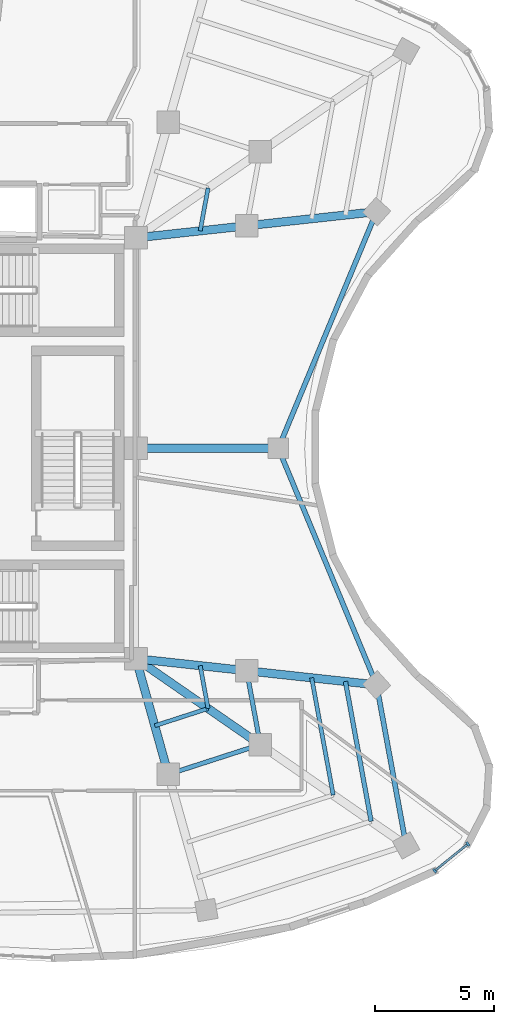
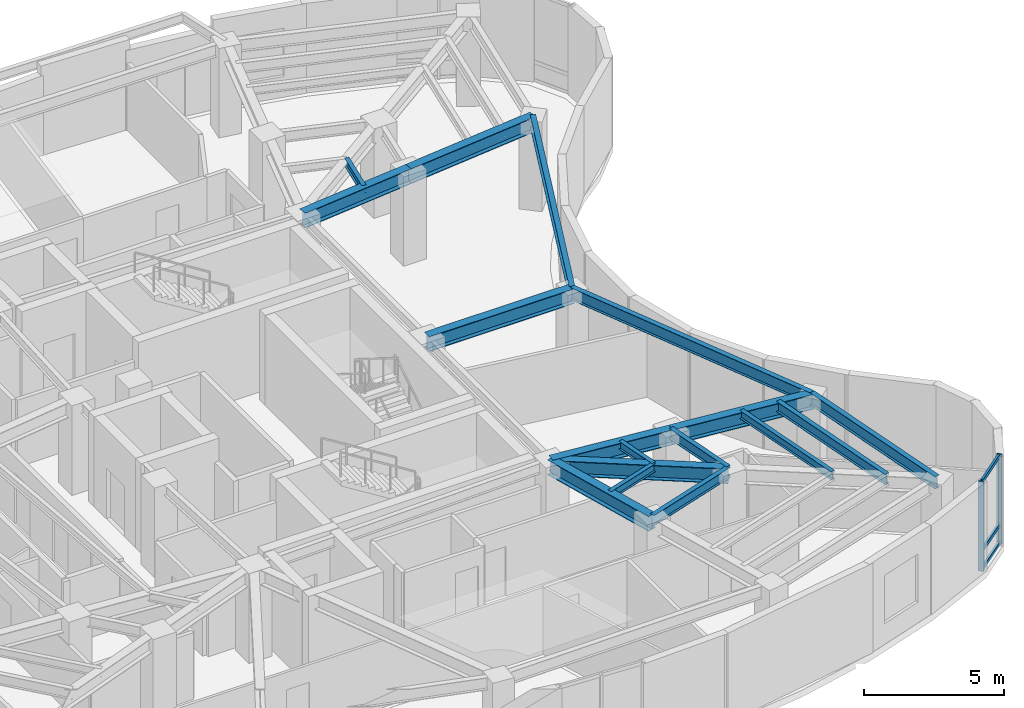
# One storey, part 4 of 14: 17 beams, 5 members, 1 element without a shape of its own.
"""IFC4 building model written with IfcOpenShell, lengths in metres."""

from ifc_helpers import new_model, si_unit, direction, frame, origin, origin_2d, place, context, subcontext, project, spatial, rectangle, i_section, extrude, material, layer, layer_set, material_profile, profile_set, type_object, element, aggregate, save


model = new_model("IFC4")

# Units and contexts
model_context = context("Model", 3, precision=1e-05, world=origin(), true_north=direction((0.0, 1.0)))
body_context = subcontext(model_context, "Body", "Model", "MODEL_VIEW")
ifc_project = project(units=[si_unit("LENGTHUNIT", "METRE"), si_unit("AREAUNIT", "SQUARE_METRE"), si_unit("VOLUMEUNIT", "CUBIC_METRE"), si_unit("PLANEANGLEUNIT", "RADIAN"), si_unit("MASSUNIT", "GRAM", prefix="KILO")], contexts=[model_context])

# Site, building, storey
site_placement = place(None, origin())
site = spatial("IfcSite", under=ifc_project, at=site_placement, CompositionType="ELEMENT")
building_placement = place(site_placement, origin())
building = spatial("IfcBuilding", under=site, at=building_placement, Name="Korentha Bioscience Tower", CompositionType="ELEMENT")
storey_placement = place(building_placement, frame((0.0, 0.0, 247.800048828125)))
storey = spatial("IfcBuildingStorey", under=building, at=storey_placement, Name="L57", CompositionType="ELEMENT", Elevation=247.800048828125)

# Beams
ifc_material_1 = material(Name="Steel S355", Category="steel")
ifc_material_profile_1 = material_profile(ifc_material_1, i_section(OverallWidth=0.18994140625, OverallDepth=0.45703125, WebThickness=0.009033203125, FlangeThickness=0.014404296875, at=origin_2d()), Name="Steel S355")
ifc_profile_set_1 = profile_set([ifc_material_profile_1], Name="Steel S355 (MB-460)")
beam_type_1 = type_object("IfcBeamType", Name="Mid-Ring Tie Girder W460x74", PredefinedType="BEAM", material=ifc_profile_set_1)
beam_1_placement = place(storey_placement, frame((38.9111328125, 13.285888671875, 3.67138671875), z_axis=(0.951528341902, 0.307561074514, 0.0), x_axis=(-0.307561074514, 0.951528341902, 0.0)))
element("IfcBeam", 1, at=beam_1_placement, inside=storey, type_object=beam_type_1, Name="L57 Mid-Ring Tie Girder 12", PredefinedType="BEAM", context=body_context, shape_type="SweptSolid", body=[
    extrude(i_section(OverallWidth=0.18994140625, OverallDepth=0.45703125, WebThickness=0.009033203125, FlangeThickness=0.014404296875, at=origin_2d()), origin(), (0.0, 0.0, 1.0), 4.062744140625),
])
beam_2_placement = place(storey_placement, frame((42.77685546875, 14.535400390625, 3.67138671875), z_axis=(-0.180965758034, 0.983489397207, 0.0), x_axis=(-0.983489397207, -0.180965758034, 0.0)))
element("IfcBeam", 2, at=beam_2_placement, inside=storey, type_object=beam_type_1, Name="L57 Mid-Ring Tie Girder 13", PredefinedType="BEAM", context=body_context, shape_type="SweptSolid", body=[
    extrude(i_section(OverallWidth=0.18994140625, OverallDepth=0.45703125, WebThickness=0.009033203125, FlangeThickness=0.014404296875, at=origin_2d()), origin(), (0.0, 0.0, 1.0), 3.15966796875),
])

# Curtain wall, members
ifc_material_2 = material(Name="Thermally Broken Aluminium Frame", Category="aluminium")
ifc_layer = layer(ifc_material_2, 0.219970703125, Name="Thermally Broken Aluminium Frame")
ifc_layer_set = layer_set([ifc_layer], Name="Thermally Broken Aluminium Frame (CW-T1)")
curtain_wall_type = type_object("IfcCurtainWallType", Name="Standard Bioscience Lab Unitised Curtain Wall CW-T1", PredefinedType="USERDEFINED", material=ifc_layer_set)
curtain_wall_placement = place(storey_placement, origin())
curtain_wall = element("IfcCurtainWall", 3, at=curtain_wall_placement, inside=storey, type_object=curtain_wall_type, Name="L57 Curtain Wall 37", ObjectType="UNITISED", PredefinedType="USERDEFINED")
ifc_material_3 = material(Name="Anodised Aluminium 6063-T6", Category="aluminium")
ifc_material_profile_2 = material_profile(ifc_material_3, rectangle(XDim=0.090087890625, YDim=0.199951171875, at=origin_2d()), Name="Anodised Aluminium 6063-T6")
ifc_profile_set_2 = profile_set([ifc_material_profile_2], Name="Anodised Aluminium 6063-T6 (CW-MUL)")
member_type_1 = type_object("IfcMemberType", Name="Mullion RECT 90x200", PredefinedType="MULLION", material=ifc_profile_set_2)
member_1_placement = place(storey_placement, frame((50.1123046875, 9.225341796875, 0.0), z_axis=(0.0, 0.0, 1.0), x_axis=(0.777226359638, 0.629221094596, 0.0)))
member_1 = element("IfcMember", 4, at=member_1_placement, type_object=member_type_1, Name="CW-L57-37 Mullion 1", PredefinedType="MULLION", context=body_context, shape_type="SweptSolid", body=[
    extrude(rectangle(XDim=0.090087890625, YDim=0.199951171875, at=origin_2d()), origin(), (0.0, 0.0, 1.0), 3.89990234375),
])
member_2_placement = place(storey_placement, frame((51.509033203125, 10.356201171875, 0.0), z_axis=(0.0, 0.0, 1.0), x_axis=(0.777226359638, 0.629221094596, 0.0)))
member_2 = element("IfcMember", 5, at=member_2_placement, type_object=member_type_1, Name="CW-L57-37 Mullion 2", PredefinedType="MULLION", context=body_context, shape_type="SweptSolid", body=[
    extrude(rectangle(XDim=0.090087890625, YDim=0.199951171875, at=origin_2d()), origin(), (0.0, 0.0, 1.0), 3.89990234375),
])

# Beams
ifc_material_profile_3 = material_profile(ifc_material_1, i_section(OverallWidth=0.208984375, OverallDepth=0.532958984375, WebThickness=0.01025390625, FlangeThickness=0.015625, at=origin_2d()), Name="Steel S355")
ifc_profile_set_3 = profile_set([ifc_material_profile_3], Name="Steel S355 (SB-530)")
beam_type_2 = type_object("IfcBeamType", Name="Perimeter Ring Spandrel Girder W530x92", PredefinedType="SPANDREL", material=ifc_profile_set_3)
beam_3_placement = place(storey_placement, frame((48.912841796875, 10.292236328125, 3.633544921875), z_axis=(-0.180958869982, 0.98349066461, 0.0), x_axis=(-0.98349066461, -0.180958869982, 0.0)))
element("IfcBeam", 6, at=beam_3_placement, inside=storey, type_object=beam_type_2, Name="L57 Perimeter Spandrel Girder 13", PredefinedType="SPANDREL", context=body_context, shape_type="SweptSolid", body=[
    extrude(i_section(OverallWidth=0.208984375, OverallDepth=0.532958984375, WebThickness=0.01025390625, FlangeThickness=0.015625, at=origin_2d()), origin(), (0.0, 0.0, 1.0), 6.868408203125),
])
for number, where, z_axis, x_axis, name in (
    (7, (47.669921875, 17.04736328125, 3.633544921875), (-0.383518045315, 0.923533382676, 0.0), (-0.923533382676, -0.383518045315, 0.0), "L57 Perimeter Spandrel Girder 14"),
    (8, (43.536865234375, 27.0, 3.633544921875), (0.383518045315, 0.923533382676, 0.0), (-0.923533382676, 0.383518045315, 0.0), "L57 Perimeter Spandrel Girder 15"),
):
    element("IfcBeam", number, at=place(storey_placement, frame(where, z_axis=z_axis, x_axis=x_axis)), inside=storey, type_object=beam_type_2, Name=name, PredefinedType="SPANDREL", context=body_context, shape_type="SweptSolid", body=[
        extrude(i_section(OverallWidth=0.208984375, OverallDepth=0.532958984375, WebThickness=0.01025390625, FlangeThickness=0.015625, at=origin_2d()), origin(), (0.0, 0.0, 1.0), 10.776611328125),
    ])
ifc_material_profile_4 = material_profile(ifc_material_1, i_section(OverallWidth=0.18994140625, OverallDepth=0.45703125, WebThickness=0.009033203125, FlangeThickness=0.014404296875, at=origin_2d()), Name="Steel S355")
ifc_profile_set_4 = profile_set([ifc_material_profile_4], Name="Steel S355 (RB-460)")
beam_type_3 = type_object("IfcBeamType", Name="Radial Laboratory Beam W460x74", PredefinedType="BEAM", material=ifc_profile_set_4)
beam_4_placement = place(storey_placement, frame((47.440185546875, 11.310791015625, 3.67138671875), z_axis=(-0.18095869438, 0.98349069692, 0.0), x_axis=(-0.98349069692, -0.18095869438, 0.0)))
element("IfcBeam", 9, at=beam_4_placement, inside=storey, type_object=beam_type_3, Name="L57 Secondary Floor Beam JSTO-13", PredefinedType="BEAM", context=body_context, shape_type="SweptSolid", body=[
    extrude(i_section(OverallWidth=0.18994140625, OverallDepth=0.45703125, WebThickness=0.009033203125, FlangeThickness=0.014404296875, at=origin_2d()), origin(), (0.0, 0.0, 1.0), 5.97802734375),
])
ifc_material_profile_5 = material_profile(ifc_material_1, i_section(OverallWidth=0.35009765625, OverallDepth=0.64990234375, WebThickness=0.01611328125, FlangeThickness=0.02490234375, at=origin_2d()), Name="Steel S355")
ifc_profile_set_5 = profile_set([ifc_material_profile_5], Name="Steel S355 (RB-650)")
beam_type_4 = type_object("IfcBeamType", Name="Radial Laboratory Girder CVS 650x208", PredefinedType="BEAM", material=ifc_profile_set_5)
beam_5_placement = place(storey_placement, frame((37.550048828125, 18.14990234375, 3.574951171875), z_axis=(0.269475733077, -0.963007180286, 0.0), x_axis=(0.963007180286, 0.269475733077, 0.0)))
element("IfcBeam", 10, at=beam_5_placement, inside=storey, type_object=beam_type_4, Name="L57 Inner Radial Girder 12", PredefinedType="BEAM", context=body_context, shape_type="SweptSolid", body=[
    extrude(i_section(OverallWidth=0.35009765625, OverallDepth=0.64990234375, WebThickness=0.01611328125, FlangeThickness=0.02490234375, at=origin_2d()), origin(), (0.0, 0.0, 1.0), 5.05078125),
])
beam_6_placement = place(storey_placement, frame((37.550048828125, 18.14990234375, 3.574951171875), z_axis=(0.822490816724, -0.568778389537, 0.0), x_axis=(0.568778389537, 0.822490816724, 0.0)))
element("IfcBeam", 11, at=beam_6_placement, inside=storey, type_object=beam_type_4, Name="L57 Inner Radial Girder 13", PredefinedType="BEAM", context=body_context, shape_type="SweptSolid", body=[
    extrude(i_section(OverallWidth=0.35009765625, OverallDepth=0.64990234375, WebThickness=0.01611328125, FlangeThickness=0.02490234375, at=origin_2d()), origin(), (0.0, 0.0, 1.0), 6.354736328125),
])
beam_7_placement = place(storey_placement, frame((37.550048828125, 18.14990234375, 3.574951171875), z_axis=(0.994119231427, -0.108291060139, 0.0), x_axis=(0.108291060139, 0.994119231427, 0.0)))
element("IfcBeam", 12, at=beam_7_placement, inside=storey, type_object=beam_type_4, Name="L57 Inner Radial Girder 14", PredefinedType="BEAM", context=body_context, shape_type="SweptSolid", body=[
    extrude(i_section(OverallWidth=0.35009765625, OverallDepth=0.64990234375, WebThickness=0.01611328125, FlangeThickness=0.02490234375, at=origin_2d()), origin(), (0.0, 0.0, 1.0), 4.6826171875),
])
beam_8_placement = place(storey_placement, frame((42.205078125, 17.642822265625, 3.574951171875), z_axis=(0.994116010051, -0.108320628508, 0.0), x_axis=(0.108320628508, 0.994116010051, 0.0)))
element("IfcBeam", 13, at=beam_8_placement, inside=storey, type_object=beam_type_4, Name="L57 Outer Radial Girder 14", PredefinedType="BEAM", context=body_context, shape_type="SweptSolid", body=[
    extrude(i_section(OverallWidth=0.35009765625, OverallDepth=0.64990234375, WebThickness=0.01611328125, FlangeThickness=0.02490234375, at=origin_2d()), origin(), (0.0, 0.0, 1.0), 5.4970703125),
])
beam_9_placement = place(storey_placement, frame((37.550048828125, 27.0, 3.574951171875), z_axis=(1.0, 0.0, 0.0), x_axis=(0.0, 1.0, 0.0)))
element("IfcBeam", 14, at=beam_9_placement, inside=storey, type_object=beam_type_4, Name="L57 Radial Girder 15", PredefinedType="BEAM", context=body_context, shape_type="SweptSolid", body=[
    extrude(i_section(OverallWidth=0.35009765625, OverallDepth=0.64990234375, WebThickness=0.01611328125, FlangeThickness=0.02490234375, at=origin_2d()), origin(), (0.0, 0.0, 1.0), 5.98681640625),
])
beam_10_placement = place(storey_placement, frame((37.550048828125, 35.85009765625, 3.574951171875), z_axis=(0.994119231427, 0.108291060139, 0.0), x_axis=(-0.108291060139, 0.994119231427, 0.0)))
element("IfcBeam", 15, at=beam_10_placement, inside=storey, type_object=beam_type_4, Name="L57 Inner Radial Girder 16", PredefinedType="BEAM", context=body_context, shape_type="SweptSolid", body=[
    extrude(i_section(OverallWidth=0.35009765625, OverallDepth=0.64990234375, WebThickness=0.01611328125, FlangeThickness=0.02490234375, at=origin_2d()), origin(), (0.0, 0.0, 1.0), 4.6826171875),
])
beam_11_placement = place(storey_placement, frame((42.205078125, 36.357177734375, 3.574951171875), z_axis=(0.994116010051, 0.108320628508, 0.0), x_axis=(-0.108320628508, 0.994116010051, 0.0)))
element("IfcBeam", 16, at=beam_11_placement, inside=storey, type_object=beam_type_4, Name="L57 Outer Radial Girder 16", PredefinedType="BEAM", context=body_context, shape_type="SweptSolid", body=[
    extrude(i_section(OverallWidth=0.35009765625, OverallDepth=0.64990234375, WebThickness=0.01611328125, FlangeThickness=0.02490234375, at=origin_2d()), origin(), (0.0, 0.0, 1.0), 5.4970703125),
])
ifc_material_profile_6 = material_profile(ifc_material_1, i_section(OverallWidth=0.1708984375, OverallDepth=0.35498046875, WebThickness=0.007080078125, FlangeThickness=0.01171875, at=origin_2d()), Name="Steel S355")
ifc_profile_set_6 = profile_set([ifc_material_profile_6], Name="Steel S355 (JB-360)")
beam_type_5 = type_object("IfcBeamType", Name="Secondary Laboratory Joist W360x51", PredefinedType="JOIST", material=ifc_profile_set_6)
beam_12_placement = place(storey_placement, frame((38.33935546875, 15.328857421875, 3.722412109375), z_axis=(0.951514105526, 0.307605115343, 0.0), x_axis=(-0.307605115343, 0.951514105526, 0.0)))
element("IfcBeam", 17, at=beam_12_placement, inside=storey, type_object=beam_type_5, Name="L57 Inner Bay Joist 12", PredefinedType="JOIST", context=body_context, shape_type="SweptSolid", body=[
    extrude(i_section(OverallWidth=0.1708984375, OverallDepth=0.35498046875, WebThickness=0.007080078125, FlangeThickness=0.01171875, at=origin_2d()), origin(), (0.0, 0.0, 1.0), 2.3564453125),
])
beam_13_placement = place(storey_placement, frame((45.844970703125, 12.413818359375, 3.722412109375), z_axis=(-0.180980255152, 0.983486729572, 0.0), x_axis=(-0.983486729572, -0.180980255152, 0.0)))
element("IfcBeam", 18, at=beam_13_placement, inside=storey, type_object=beam_type_5, Name="L57 Secondary Floor Beam JST-13", PredefinedType="JOIST", context=body_context, shape_type="SweptSolid", body=[
    extrude(i_section(OverallWidth=0.1708984375, OverallDepth=0.35498046875, WebThickness=0.007080078125, FlangeThickness=0.01171875, at=origin_2d()), origin(), (0.0, 0.0, 1.0), 5.01416015625),
])
for number, where, z_axis, x_axis, name in (
    (19, (40.58154296875, 16.0537109375, 3.722412109375), (-0.180948766691, 0.983492523527, 0.0), (-0.983492523527, -0.180948766691, 0.0), "L57 Inner Bay Joist 13"),
    (20, (40.25, 36.144287109375, 3.722412109375), (0.180948766691, 0.983492523527, 0.0), (-0.983492523527, 0.180948766691, 0.0), "L57 Inner Bay Joist 16"),
):
    element("IfcBeam", number, at=place(storey_placement, frame(where, z_axis=z_axis, x_axis=x_axis)), inside=storey, type_object=beam_type_5, Name=name, PredefinedType="JOIST", context=body_context, shape_type="SweptSolid", body=[
        extrude(i_section(OverallWidth=0.1708984375, OverallDepth=0.35498046875, WebThickness=0.007080078125, FlangeThickness=0.01171875, at=origin_2d()), origin(), (0.0, 0.0, 1.0), 1.832275390625),
    ])

# Member
ifc_material_profile_7 = material_profile(ifc_material_3, rectangle(XDim=0.090087890625, YDim=0.159912109375, at=origin_2d()), Name="Anodised Aluminium 6063-T6")
ifc_profile_set_7 = profile_set([ifc_material_profile_7], Name="Anodised Aluminium 6063-T6 (CW-TRN)")
member_type_2 = type_object("IfcMemberType", Name="Transom RECT 90x160", PredefinedType="USERDEFINED", material=ifc_profile_set_7)
member_3_placement = place(storey_placement, frame((50.1474609375, 9.253662109375, 0.044921875), z_axis=(0.777171592091, 0.629288738535, 0.0), x_axis=(-0.629288738535, 0.777171592091, 0.0)))
member_3 = element("IfcMember", 21, at=member_3_placement, type_object=member_type_2, Name="CW-L57-37 Bay 1 Transom 1", ObjectType="TRANSOM", PredefinedType="USERDEFINED", context=body_context, shape_type="SweptSolid", body=[
    extrude(rectangle(XDim=0.090087890625, YDim=0.159912109375, at=origin_2d()), origin(), (0.0, 0.0, 1.0), 1.70703125),
])

member_4_placement = place(storey_placement, frame((50.1474609375, 9.253662109375, 0.849853515625), z_axis=(0.777171592091, 0.629288738535, 0.0), x_axis=(-0.629288738535, 0.777171592091, 0.0)))
member_4 = element("IfcMember", 22, at=member_4_placement, type_object=member_type_2, Name="CW-L57-37 Bay 1 Transom 2", ObjectType="TRANSOM", PredefinedType="USERDEFINED", context=body_context, shape_type="SweptSolid", body=[
    extrude(rectangle(XDim=0.090087890625, YDim=0.159912109375, at=origin_2d()), origin(), (0.0, 0.0, 1.0), 1.70703125),
])

member_5_placement = place(storey_placement, frame((50.1474609375, 9.253662109375, 3.85498046875), z_axis=(0.777171592091, 0.629288738535, 0.0), x_axis=(-0.629288738535, 0.777171592091, 0.0)))
member_5 = element("IfcMember", 23, at=member_5_placement, type_object=member_type_2, Name="CW-L57-37 Bay 1 Transom 3", ObjectType="TRANSOM", PredefinedType="USERDEFINED", context=body_context, shape_type="SweptSolid", body=[
    extrude(rectangle(XDim=0.090087890625, YDim=0.159912109375, at=origin_2d()), origin(), (0.0, 0.0, 1.0), 1.70703125),
])

aggregate(curtain_wall, [member_1, member_2, member_3, member_4, member_5])

save(model, "model.ifc")
